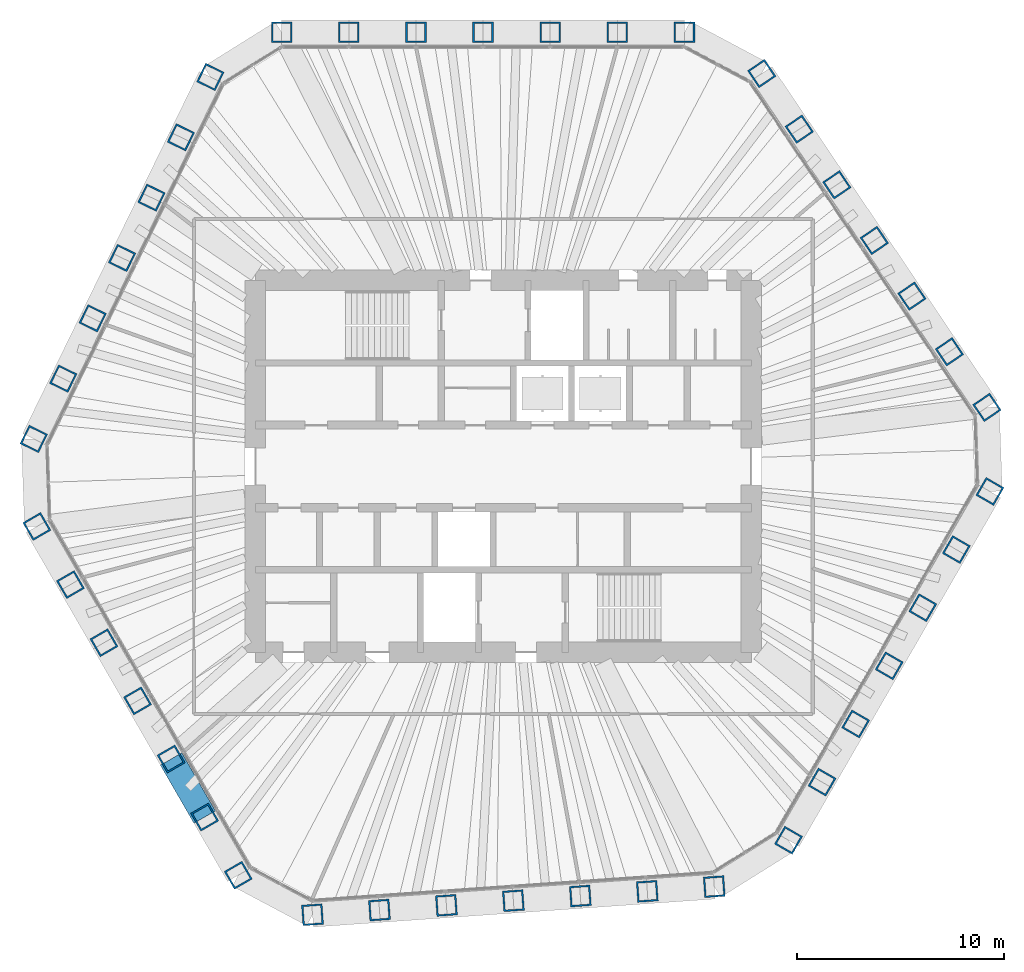
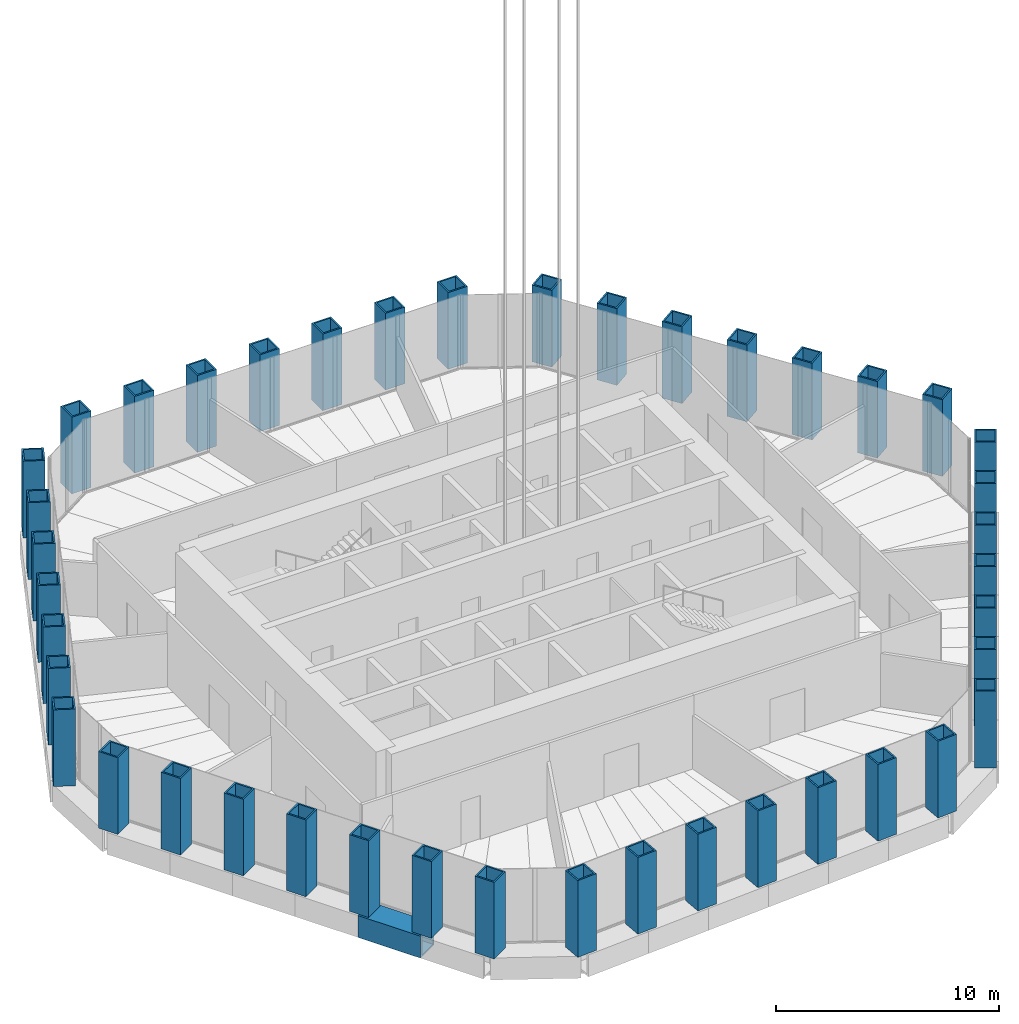
# One storey, part 1 of 19: 42 columns, 1 member.
"""IFC4 building model written with IfcOpenShell, lengths in metres."""

from ifc_helpers import new_model, si_unit, direction, frame, origin, origin_2d, place, context, subcontext, project, spatial, hollow_rectangle, extrude, material, material_profile, profile_set, type_object, element, save


model = new_model("IFC4")

# Units and contexts
model_context = context("Model", 3, precision=1e-05, world=origin(), true_north=direction((0.0, 1.0)))
body_context = subcontext(model_context, "Body", "Model", "MODEL_VIEW")
ifc_project = project(units=[si_unit("LENGTHUNIT", "METRE"), si_unit("AREAUNIT", "SQUARE_METRE"), si_unit("VOLUMEUNIT", "CUBIC_METRE"), si_unit("PLANEANGLEUNIT", "RADIAN"), si_unit("MASSUNIT", "GRAM", prefix="KILO")], contexts=[model_context])

# Site, building, storey
site_placement = place(None, origin())
site = spatial("IfcSite", under=ifc_project, at=site_placement, CompositionType="ELEMENT")
building_placement = place(site_placement, origin())
building = spatial("IfcBuilding", under=site, at=building_placement, Name="Qingtian Harvest Tower", CompositionType="ELEMENT")
storey_placement = place(building_placement, frame((0.0, 0.0, 262.0)))
storey = spatial("IfcBuildingStorey", under=building, at=storey_placement, Name="L57", CompositionType="ELEMENT", Elevation=262.0)

# Columns
ifc_material_1 = material(Name="Steel SM570MC", Category="steel")
ifc_material_profile_1 = material_profile(ifc_material_1, hollow_rectangle(XDim=1.0, YDim=1.0, WallThickness=0.080078125, at=origin_2d()), Name="BOX1000x1000x80")
ifc_profile_set_1 = profile_set([ifc_material_profile_1], Name="Steel SM570MC")
column_type = type_object("IfcColumnType", Name="Transition tube column TK3 BOX1000x1000x80", PredefinedType="COLUMN", material=ifc_profile_set_1)
for number, where, z_axis, x_axis, name in (
    (1, (-10.72216796875, 21.0, 0.0), (0.0, 0.0, 1.0), (-1.0, 0.0, 0.0), "Tube column TK3 N0"),
    (2, (-7.47412109375, 21.0, 0.0), (0.0, 0.0, 1.0), (-1.0, 0.0, 0.0), "Tube column TK3 N1"),
    (3, (-4.226318359375, 21.0, 0.0), (0.0, 0.0, 1.0), (-1.0, 0.0, 0.0), "Tube column TK3 N2"),
    (4, (-0.978271484375, 21.0, 0.0), (0.0, 0.0, 1.0), (-1.0, 0.0, 0.0), "Tube column TK3 N3"),
    (5, (2.269775390625, 21.0, 0.0), (0.0, 0.0, 1.0), (-1.0, 0.0, 0.0), "Tube column TK3 N4"),
    (6, (5.517822265625, 21.0, 0.0), (0.0, 0.0, 1.0), (-1.0, 0.0, 0.0), "Tube column TK3 N5"),
    (7, (8.765869140625, 21.0, 0.0), (0.0, 0.0, 1.0), (-1.0, 0.0, 0.0), "Tube column TK3 N6"),
    (8, (12.508056640625, 19.01025390625, 0.0), (0.0, 0.0, 1.0), (-0.559192903471, 0.829037572555, 0.0), "Tube column TK3 NE0"),
    (9, (14.32421875, 16.317626953125, 0.0), (0.0, 0.0, 1.0), (-0.559192903471, 0.829037572555, 0.0), "Tube column TK3 NE1"),
    (10, (16.140625, 13.624755859375, 0.0), (0.0, 0.0, 1.0), (-0.559192903471, 0.829037572555, 0.0), "Tube column TK3 NE2"),
    (11, (17.956787109375, 10.93212890625, 0.0), (0.0, 0.0, 1.0), (-0.559192903471, 0.829037572555, 0.0), "Tube column TK3 NE3"),
    (12, (19.77294921875, 8.2392578125, 0.0), (0.0, 0.0, 1.0), (-0.559192903471, 0.829037572555, 0.0), "Tube column TK3 NE4"),
    (13, (21.58935546875, 5.546630859375, 0.0), (0.0, 0.0, 1.0), (-0.559192903471, 0.829037572555, 0.0), "Tube column TK3 NE5"),
    (14, (23.405517578125, 2.85400390625, 0.0), (0.0, 0.0, 1.0), (-0.559192903471, 0.829037572555, 0.0), "Tube column TK3 NE6"),
    (15, (23.547607421875, -1.21435546875, 0.0), (0.0, 0.0, 1.0), (0.5, 0.866025403784, 0.0), "Tube column TK3 SE0"),
    (16, (21.923583984375, -4.027099609375, 0.0), (0.0, 0.0, 1.0), (0.5, 0.866025403784, 0.0), "Tube column TK3 SE1"),
    (17, (20.299560546875, -6.840087890625, 0.0), (0.0, 0.0, 1.0), (0.5, 0.866025403784, 0.0), "Tube column TK3 SE2"),
    (18, (18.675537109375, -9.65283203125, 0.0), (0.0, 0.0, 1.0), (0.5, 0.866025403784, 0.0), "Tube column TK3 SE3"),
    (19, (17.051513671875, -12.4658203125, 0.0), (0.0, 0.0, 1.0), (0.5, 0.866025403784, 0.0), "Tube column TK3 SE4"),
    (20, (15.427490234375, -15.278564453125, 0.0), (0.0, 0.0, 1.0), (0.5, 0.866025403784, 0.0), "Tube column TK3 SE5"),
    (21, (13.803466796875, -18.091552734375, 0.0), (0.0, 0.0, 1.0), (0.5, 0.866025403784, 0.0), "Tube column TK3 SE6"),
    (22, (10.20947265625, -20.33740234375, 0.0), (0.0, 0.0, 1.0), (0.99756405026, 0.069756473744, 0.0), "Tube column TK3 S0"),
    (23, (6.96923828125, -20.56396484375, 0.0), (0.0, 0.0, 1.0), (0.99756405026, 0.069756473744, 0.0), "Tube column TK3 S1"),
    (24, (3.729248046875, -20.79052734375, 0.0), (0.0, 0.0, 1.0), (0.99756405026, 0.069756473744, 0.0), "Tube column TK3 S2"),
    (25, (0.489013671875, -21.01708984375, 0.0), (0.0, 0.0, 1.0), (0.99756405026, 0.069756473744, 0.0), "Tube column TK3 S3"),
    (26, (-2.7509765625, -21.24365234375, 0.0), (0.0, 0.0, 1.0), (0.99756405026, 0.069756473744, 0.0), "Tube column TK3 S4"),
    (27, (-5.9912109375, -21.47021484375, 0.0), (0.0, 0.0, 1.0), (0.99756405026, 0.069756473744, 0.0), "Tube column TK3 S5"),
    (28, (-9.231201171875, -21.69677734375, 0.0), (0.0, 0.0, 1.0), (0.99756405026, 0.069756473744, 0.0), "Tube column TK3 S6"),
    (29, (-12.825439453125, -19.78564453125, 0.0), (0.0, 0.0, 1.0), (0.5, -0.866025403784, 0.0), "Tube column TK3 SW0"),
    (30, (-14.449462890625, -16.972900390625, 0.0), (0.0, 0.0, 1.0), (0.5, -0.866025403784, 0.0), "Tube column TK3 SW1"),
    (31, (-16.073486328125, -14.159912109375, 0.0), (0.0, 0.0, 1.0), (0.5, -0.866025403784, 0.0), "Tube column TK3 SW2"),
    (32, (-17.697509765625, -11.34716796875, 0.0), (0.0, 0.0, 1.0), (0.5, -0.866025403784, 0.0), "Tube column TK3 SW3"),
    (33, (-19.321533203125, -8.5341796875, 0.0), (0.0, 0.0, 1.0), (0.5, -0.866025403784, 0.0), "Tube column TK3 SW4"),
    (34, (-20.945556640625, -5.721435546875, 0.0), (0.0, 0.0, 1.0), (0.5, -0.866025403784, 0.0), "Tube column TK3 SW5"),
    (35, (-22.569580078125, -2.908447265625, 0.0), (0.0, 0.0, 1.0), (0.5, -0.866025403784, 0.0), "Tube column TK3 SW6"),
    (36, (-22.71728515625, 1.3271484375, 0.0), (0.0, 0.0, 1.0), (-0.438371146789, -0.898794046299, 0.0), "Tube column TK3 NW0"),
    (37, (-21.29345703125, 4.246337890625, 0.0), (0.0, 0.0, 1.0), (-0.438371146789, -0.898794046299, 0.0), "Tube column TK3 NW1"),
    (38, (-19.86962890625, 7.165771484375, 0.0), (0.0, 0.0, 1.0), (-0.438371146789, -0.898794046299, 0.0), "Tube column TK3 NW2"),
    (39, (-18.44580078125, 10.0849609375, 0.0), (0.0, 0.0, 1.0), (-0.438371146789, -0.898794046299, 0.0), "Tube column TK3 NW3"),
    (40, (-17.02197265625, 13.00439453125, 0.0), (0.0, 0.0, 1.0), (-0.438371146789, -0.898794046299, 0.0), "Tube column TK3 NW4"),
    (41, (-15.59814453125, 15.923583984375, 0.0), (0.0, 0.0, 1.0), (-0.438371146789, -0.898794046299, 0.0), "Tube column TK3 NW5"),
    (42, (-14.17431640625, 18.8427734375, 0.0), (0.0, 0.0, 1.0), (-0.438371146789, -0.898794046299, 0.0), "Tube column TK3 NW6"),
):
    element("IfcColumn", number, at=place(storey_placement, frame(where, z_axis=z_axis, x_axis=x_axis)), inside=storey, type_object=column_type, Name=name, PredefinedType="COLUMN", context=body_context, shape_type="SweptSolid", body=[
        extrude(hollow_rectangle(XDim=1.0, YDim=1.0, WallThickness=0.080078125, at=origin_2d()), origin(), (0.0, 0.0, 1.0), 4.199951171875),
    ])

# Member
ifc_material_2 = material(Name="Steel SM570MC", Category="steel")
ifc_material_profile_2 = material_profile(ifc_material_2, hollow_rectangle(XDim=1.199951171875, YDim=1.199951171875, WallThickness=0.10009765625, at=origin_2d()), Name="BOX1200x1200x100")
ifc_profile_set_2 = profile_set([ifc_material_profile_2], Name="Steel SM570MC")
member_type = type_object("IfcMemberType", Name="Belt truss chord BC3 BOX1200x1200x100", PredefinedType="CHORD", material=ifc_profile_set_2)
member_placement = place(storey_placement, frame((-14.449462890625, -16.972900390625, -0.60009765625), z_axis=(-0.499987045439, 0.866032882975, 0.0), x_axis=(-0.866032882975, -0.499987045439, 0.0)))
element("IfcMember", 43, at=member_placement, inside=storey, type_object=member_type, Name="Belt chord BC3 SW1", PredefinedType="CHORD", context=body_context, shape_type="SweptSolid", body=[
    extrude(hollow_rectangle(XDim=1.199951171875, YDim=1.199951171875, WallThickness=0.10009765625, at=origin_2d()), origin(), (0.0, 0.0, 1.0), 3.248046875),
])

save(model, "model.ifc")
